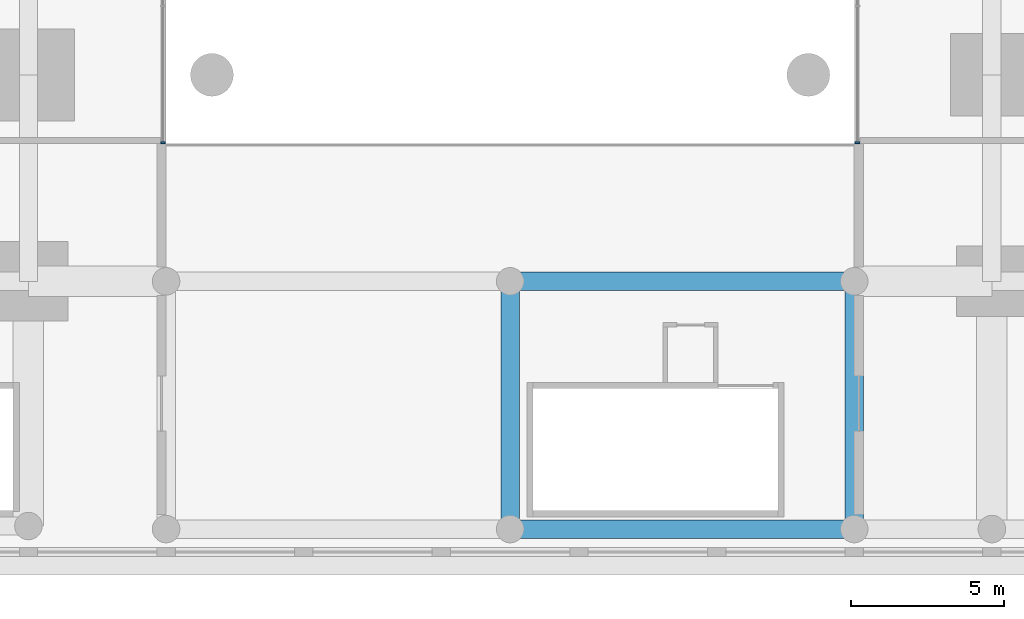
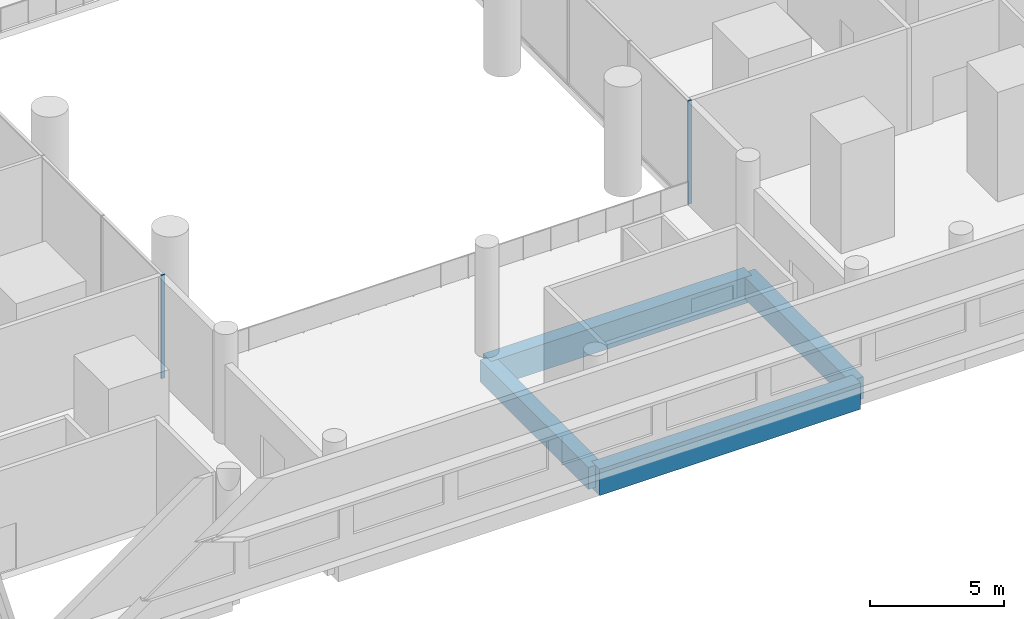
# One storey, part 2 of 20: 4 beams, 2 members, 2 elements without a shape of their own.
"""IFC4 building model written with IfcOpenShell, lengths in metres."""

from ifc_helpers import new_model, si_unit, direction, frame, origin, origin_2d, place, context, subcontext, project, spatial, rectangle, extrude, material, layer, layer_set, material_profile, profile_set, type_object, element, aggregate, save


model = new_model("IFC4")

# Units and contexts
model_context = context("Model", 3, precision=1e-05, world=origin(), true_north=direction((0.0, 1.0)))
body_context = subcontext(model_context, "Body", "Model", "MODEL_VIEW")
ifc_project = project(units=[si_unit("LENGTHUNIT", "METRE"), si_unit("AREAUNIT", "SQUARE_METRE"), si_unit("VOLUMEUNIT", "CUBIC_METRE"), si_unit("PLANEANGLEUNIT", "RADIAN"), si_unit("MASSUNIT", "GRAM", prefix="KILO")], contexts=[model_context])

# Site, building, storey
site_placement = place(None, origin())
site = spatial("IfcSite", under=ifc_project, at=site_placement, CompositionType="ELEMENT")
building_placement = place(site_placement, origin())
building = spatial("IfcBuilding", under=site, at=building_placement, Name="Namib Vertical Campus", CompositionType="ELEMENT")
storey_placement = place(building_placement, frame((0.0, 0.0, 16.0)))
storey = spatial("IfcBuildingStorey", under=building, at=storey_placement, Name="L03", CompositionType="ELEMENT", Elevation=16.0)

# Curtain wall, member
ifc_material_1 = material(Name="Black aluminium curtain wall", Category="aluminium")
ifc_layer = layer(ifc_material_1, 0.199951171875)
ifc_layer_set = layer_set([ifc_layer], Name="Atrium screen curtain wall CW-AT")
curtain_wall_type = type_object("IfcCurtainWallType", Name="Atrium screen curtain wall CW-AT", PredefinedType="USERDEFINED", material=ifc_layer_set)
curtain_wall_1_placement = place(storey_placement, origin())
curtain_wall_1 = element("IfcCurtainWall", 1, at=curtain_wall_1_placement, inside=storey, type_object=curtain_wall_type, Name="Curtain wall CW-AT atrium A L03 1", ObjectType="CURTAIN WALL", PredefinedType="USERDEFINED")
ifc_material_2 = material(Name="Black anodised aluminium", Category="aluminium")
ifc_material_profile_1 = material_profile(ifc_material_2, rectangle(XDim=0.06005859375, YDim=0.159912109375, at=origin_2d()))
ifc_profile_set_1 = profile_set([ifc_material_profile_1], Name="Black anodised aluminium")
member_type = type_object("IfcMemberType", Name="Curtain wall mullion 60x160", PredefinedType="MULLION", material=ifc_profile_set_1)
member_1_placement = place(storey_placement, frame((40.39990234375, 9.030029296875, 0.0), z_axis=(0.0, 0.0, 1.0), x_axis=(0.0, 1.0, 0.0)))
member_1 = element("IfcMember", 2, at=member_1_placement, type_object=member_type, Name="CW-AT mullion 1", PredefinedType="MULLION", context=body_context, shape_type="SweptSolid", body=[
    extrude(rectangle(XDim=0.06005859375, YDim=0.159912109375, at=origin_2d()), origin(), (0.0, 0.0, 1.0), 4.699951171875),
])
aggregate(curtain_wall_1, [member_1])

curtain_wall_2_placement = place(storey_placement, origin())
curtain_wall_2 = element("IfcCurtainWall", 3, at=curtain_wall_2_placement, inside=storey, type_object=curtain_wall_type, Name="Curtain wall CW-AT atrium B L03 1", ObjectType="CURTAIN WALL", PredefinedType="USERDEFINED")
member_2_placement = place(storey_placement, frame((63.10009765625, 9.030029296875, 0.0), z_axis=(0.0, 0.0, 1.0), x_axis=(0.0, 1.0, 0.0)))
member_2 = element("IfcMember", 4, at=member_2_placement, type_object=member_type, Name="CW-AT mullion 1", PredefinedType="MULLION", context=body_context, shape_type="SweptSolid", body=[
    extrude(rectangle(XDim=0.06005859375, YDim=0.159912109375, at=origin_2d()), origin(), (0.0, 0.0, 1.0), 4.699951171875),
])
aggregate(curtain_wall_2, [member_2])

# Beams
ifc_material_3 = material(Name="Concrete C40/50", Category="concrete")
ifc_material_profile_2 = material_profile(ifc_material_3, rectangle(XDim=0.60009765625, YDim=1.199951171875, at=origin_2d()))
ifc_profile_set_2 = profile_set([ifc_material_profile_2], Name="Concrete C40/50")
beam_type_1 = type_object("IfcBeamType", Name="Long-span podium beam RC 600x1200", PredefinedType="BEAM", material=ifc_profile_set_2)
for number, where, z_axis, x_axis, name in (
    (5, (51.75, -3.60009765625, -0.89990234375), (1.0, 0.0, 0.0), (0.0, 1.0, 0.0), "Beam PB4 L03"),
    (6, (51.75, 4.5, -0.89990234375), (1.0, 0.0, 0.0), (0.0, 1.0, 0.0), "Beam PB4 L03"),
):
    element("IfcBeam", number, at=place(storey_placement, frame(where, z_axis=z_axis, x_axis=x_axis)), inside=storey, type_object=beam_type_1, Name=name, PredefinedType="BEAM", context=body_context, shape_type="SweptSolid", body=[
        extrude(rectangle(XDim=0.60009765625, YDim=1.199951171875, at=origin_2d()), origin(), (0.0, 0.0, 1.0), 11.25),
    ])
ifc_material_4 = material(Name="Concrete C40/50", Category="concrete")
ifc_material_profile_3 = material_profile(ifc_material_4, rectangle(XDim=0.60009765625, YDim=1.0, at=origin_2d()))
ifc_profile_set_3 = profile_set([ifc_material_profile_3], Name="Concrete C40/50")
beam_type_2 = type_object("IfcBeamType", Name="Podium beam RC 600x1000", PredefinedType="BEAM", material=ifc_profile_set_3)
for number, where, z_axis, x_axis, name in (
    (7, (51.75, -3.60009765625, -0.800048828125), (0.0, 1.0, 0.0), (-1.0, 0.0, 0.0), "Beam PB1 L03"),
    (8, (63.0, -3.60009765625, -0.800048828125), (0.0, 1.0, 0.0), (-1.0, 0.0, 0.0), "Beam PB1 L03"),
):
    element("IfcBeam", number, at=place(storey_placement, frame(where, z_axis=z_axis, x_axis=x_axis)), inside=storey, type_object=beam_type_2, Name=name, PredefinedType="BEAM", context=body_context, shape_type="SweptSolid", body=[
        extrude(rectangle(XDim=0.60009765625, YDim=1.0, at=origin_2d()), origin(), (0.0, 0.0, 1.0), 8.10009765625),
    ])

save(model, "model.ifc")
